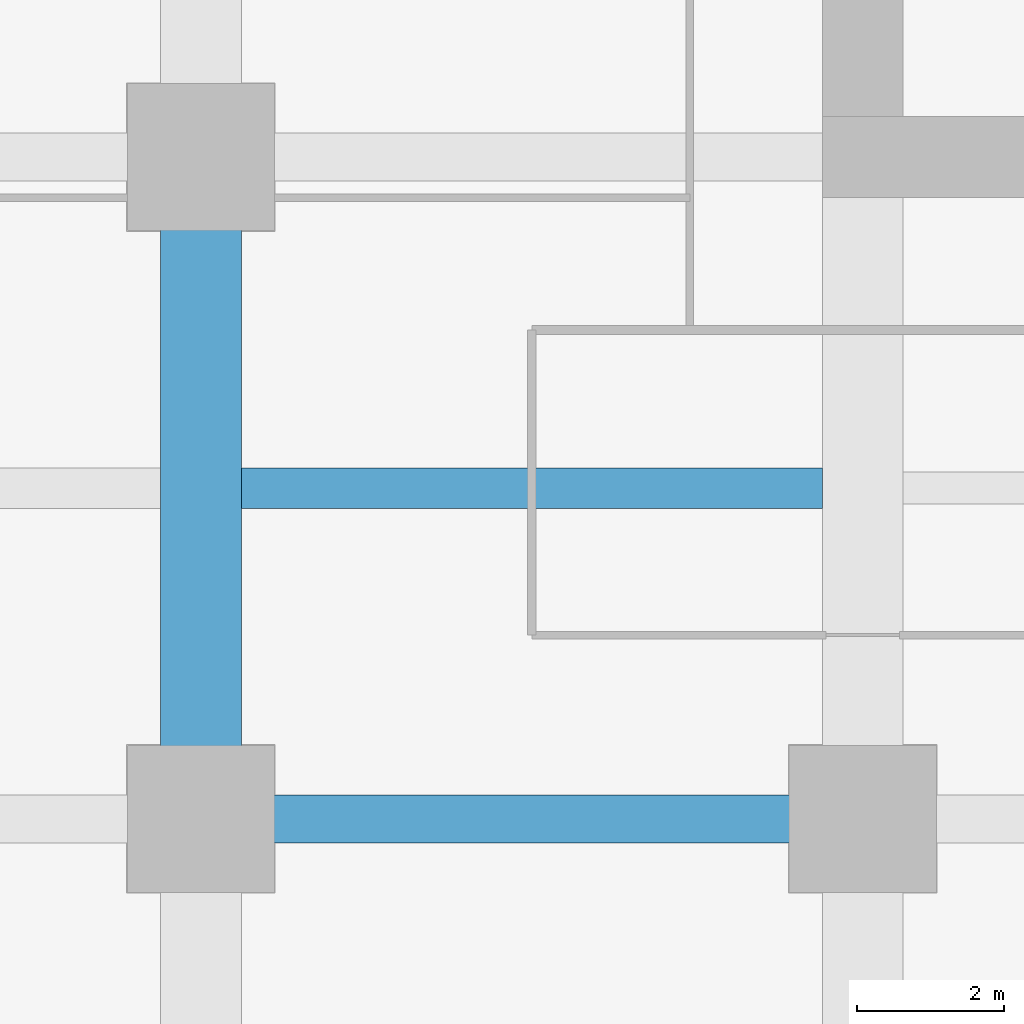
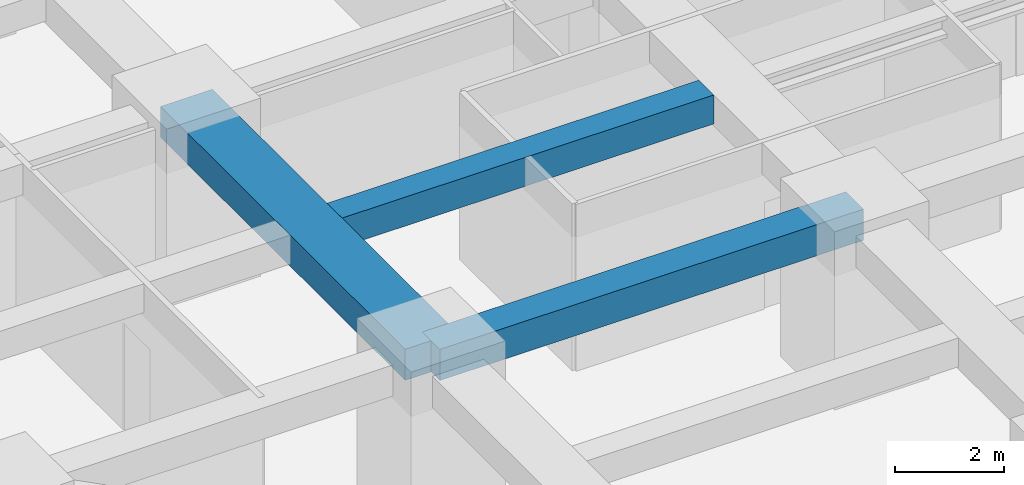
# One storey, part 5 of 41: 3 beams.
"""IFC4 building model written with IfcOpenShell, lengths in metres."""

import ifcopenshell
import ifcopenshell.guid

model = None  # the IFC model being written
_history = None  # IfcOwnerHistory: only IFC2X3 demands one
_inside = {}  # id of a spatial element -> (the spatial element, [elements in it])
_under = {}  # id of a project, library or spatial element -> (it, [spatial elements below it])
_declared = {}  # id of a project -> (the project, [libraries it declares])
_typed = {}  # id of a type object -> (the type object, [elements of that type])
_made_of = {}  # id of a material, layer set ... -> (it, [elements and type objects made of it])


def new_model(schema):
    """Start an empty IFC model of exactly this schema.

    Asked for "IFC4X3", IfcOpenShell would pick the latest addendum, in which some entities
    have other attributes; the version numbers below select the first issue.
    IFC2X3 requires an IfcOwnerHistory on every rooted entity: one is made here for all.
    """
    global model, _history
    if schema == "IFC4X3":
        model = ifcopenshell.file(schema_version=(4, 3, 0, 0))
    else:
        model = ifcopenshell.file(schema=schema)
    _inside.clear()
    _under.clear()
    _declared.clear()
    _typed.clear()
    _made_of.clear()
    _history = None
    if model.schema == "IFC2X3":
        org = make("IfcOrganization", Name="unknown")
        user = make(
            "IfcPersonAndOrganization",
            ThePerson=make("IfcPerson", FamilyName="unknown"),
            TheOrganization=org,
        )
        app = make(
            "IfcApplication",
            ApplicationDeveloper=org,
            Version="unknown",
            ApplicationFullName="unknown",
            ApplicationIdentifier="unknown",
        )
        _history = make(
            "IfcOwnerHistory",
            OwningUser=user,
            OwningApplication=app,
            ChangeAction="ADDED",
            CreationDate=0,
        )
    return model


def make(cls, **values):
    """One entity of the class cls with the attributes given. An attribute that is None is left unset."""
    return model.create_entity(
        cls, **{name: value for name, value in values.items() if value is not None}
    )


def rooted(cls, **values):
    """An entity with a GlobalId (a new one), such as an element, a storey or a relation."""
    return make(cls, GlobalId=ifcopenshell.guid.new(), OwnerHistory=_history, **values)


def si_unit(unit_type, name, prefix=None):
    """IfcSIUnit, for example si_unit("LENGTHUNIT", "METRE", prefix="MILLI")."""
    return make("IfcSIUnit", UnitType=unit_type, Prefix=prefix, Name=name)


def assignment(units):
    """IfcUnitAssignment: the units of a project."""
    return None if units is None else make("IfcUnitAssignment", Units=units)


def point(xyz):
    """IfcCartesianPoint."""
    return None if xyz is None else make("IfcCartesianPoint", Coordinates=xyz)


def direction(xyz):
    """IfcDirection."""
    return None if xyz is None else make("IfcDirection", DirectionRatios=xyz)


def frame(location, z_axis=None, x_axis=None):
    """IfcAxis2Placement3D, a coordinate frame: its origin and axes. An axis left out is left unset."""
    return make(
        "IfcAxis2Placement3D",
        Location=point(location),
        Axis=direction(z_axis),
        RefDirection=direction(x_axis),
    )


def frame_2d(location, x_axis=None):
    """IfcAxis2Placement2D, a coordinate frame in the plane: its origin and x axis."""
    return make(
        "IfcAxis2Placement2D", Location=point(location), RefDirection=direction(x_axis)
    )


def origin():
    """The frame at (0, 0, 0) with its axes left unset."""
    return frame((0.0, 0.0, 0.0))


def origin_2d():
    """The frame at (0, 0) in the plane with its x axis left unset."""
    return frame_2d((0.0, 0.0))


def place(relative_to, where):
    """IfcLocalPlacement: puts the frame where relative to a parent placement (None: the world)."""
    return make(
        "IfcLocalPlacement", PlacementRelTo=relative_to, RelativePlacement=where
    )


def context(
    kind, dimensions, precision=None, world=None, true_north=None, identifier=None
):
    """IfcGeometricRepresentationContext, for example the 3D "Model" context."""
    return make(
        "IfcGeometricRepresentationContext",
        ContextIdentifier=identifier,
        ContextType=kind,
        CoordinateSpaceDimension=dimensions,
        Precision=precision,
        WorldCoordinateSystem=world,
        TrueNorth=true_north,
    )


def subcontext(parent, identifier, kind, view, scale=None):
    """IfcGeometricRepresentationSubContext, for example "Body" below "Model"."""
    return make(
        "IfcGeometricRepresentationSubContext",
        ContextIdentifier=identifier,
        ContextType=kind,
        ParentContext=parent,
        TargetScale=scale,
        TargetView=view,
    )


def project(units=None, contexts=None):
    """IfcProject with its units and contexts."""
    return rooted(
        "IfcProject",
        Name="project",
        RepresentationContexts=contexts,
        UnitsInContext=assignment(units),
    )


def spatial(cls, under=None, at=None, **own):
    """A site, building, storey or space (cls), placed at a placement, below another one or the project."""
    s = rooted(cls, ObjectPlacement=at, **own)
    if under is not None:
        _under.setdefault(under.id(), (under, []))[1].append(s)
    return s


def profile(cls, at=None, kind="AREA", **sizes):
    """A parametric profile (cls). Its sizes go by their IFC names, for example OverallWidth=200.0."""
    return make(cls, ProfileType=kind, Position=at, **sizes)


def rectangle(**sizes):
    """IfcRectangleProfileDef."""
    return profile("IfcRectangleProfileDef", **sizes)


def extrude(swept, where, along, depth):
    """IfcExtrudedAreaSolid: the profile swept, set in the frame where, extruded along a direction by depth."""
    return make(
        "IfcExtrudedAreaSolid",
        SweptArea=swept,
        Position=where,
        ExtrudedDirection=direction(along),
        Depth=depth,
    )


def shape(context_of_items, identifier, shape_type, items):
    """IfcShapeRepresentation: the items that make up one representation, for example the "Body"."""
    return make(
        "IfcShapeRepresentation",
        ContextOfItems=context_of_items,
        RepresentationIdentifier=identifier,
        RepresentationType=shape_type,
        Items=items,
    )


def material(Name=None, Category=None):
    """IfcMaterial."""
    return make("IfcMaterial", Name=Name, Category=Category)


def material_profile(
    of_material, cross_section, Name=None, Category=None, Priority=None
):
    """IfcMaterialProfile: a cross section and its material."""
    return make(
        "IfcMaterialProfile",
        Name=Name,
        Material=of_material,
        Profile=cross_section,
        Priority=Priority,
        Category=Category,
    )


def profile_set(profiles, Name=None, composite=None):
    """IfcMaterialProfileSet."""
    return make(
        "IfcMaterialProfileSet",
        Name=Name,
        MaterialProfiles=profiles,
        CompositeProfile=composite,
    )


def made_of(thing, what):
    """Note that an element or type object is made of a material, layer set ...; save() writes the relation."""
    if what is not None:
        _made_of.setdefault(what.id(), (what, []))[1].append(thing)
    return thing


def type_object(cls, material=None, **own):
    """A type object (cls), such as IfcWallType, which elements share."""
    return made_of(rooted(cls, **own), material)


def element(
    cls,
    number,
    at=None,
    inside=None,
    cuts=None,
    type_object=None,
    material=None,
    context=None,
    identifier="Body",
    shape_type=None,
    held_by="IfcProductDefinitionShape",
    body=None,
    shapes=None,
    **own,
):
    """One element of the class cls, such as IfcWall. Its Tag is "e" and its number.

    at: its placement. inside: the storey or other place that contains it. cuts: it is an
    opening in that element (IfcRelVoidsElement). A single representation is given by context,
    identifier, shape_type and body (its items); several are given by shapes. held_by: the class
    of the entity that holds the representations. save() writes the other relations.
    """
    e = rooted(cls, Tag="e%d" % number, ObjectPlacement=at, **own)
    if body is not None:
        shapes = [shape(context, identifier, shape_type, body)]
    if shapes is not None:
        e.Representation = make(held_by, Representations=shapes)
    if inside is not None:
        _inside.setdefault(inside.id(), (inside, []))[1].append(e)
    if cuts is not None:
        rooted(
            "IfcRelVoidsElement", RelatingBuildingElement=cuts, RelatedOpeningElement=e
        )
    if type_object is not None:
        _typed.setdefault(type_object.id(), (type_object, []))[1].append(e)
    return made_of(e, material)


def aggregate(whole, parts):
    """IfcRelAggregates: a whole, such as a stair, and the parts it consists of."""
    return rooted("IfcRelAggregates", RelatingObject=whole, RelatedObjects=parts)


def save(model, path):
    """Write the relations noted so far, then the file.

    IfcRelAggregates (storeys below a building ...), IfcRelContainedInSpatialStructure (elements
    in a storey), IfcRelDefinesByType, IfcRelAssociatesMaterial and IfcRelDeclares: one each for
    every whole, place, type object, material and project.
    """
    for whole, parts in _under.values():
        aggregate(whole, parts)
    for where, things in _inside.values():
        rooted(
            "IfcRelContainedInSpatialStructure",
            RelatedElements=things,
            RelatingStructure=where,
        )
    for kind, things in _typed.values():
        rooted("IfcRelDefinesByType", RelatedObjects=things, RelatingType=kind)
    for what, things in _made_of.values():
        rooted("IfcRelAssociatesMaterial", RelatedObjects=things, RelatingMaterial=what)
    for by, libraries in _declared.values():
        rooted("IfcRelDeclares", RelatingContext=by, RelatedDefinitions=libraries)
    model.write(path)


model = new_model("IFC4")

# Units and contexts
model_context = context("Model", 3, precision=1e-05, world=origin(), true_north=direction((0.0, 1.0)))
body_context = subcontext(model_context, "Body", "Model", "MODEL_VIEW")
ifc_project = project(units=[si_unit("LENGTHUNIT", "METRE"), si_unit("AREAUNIT", "SQUARE_METRE"), si_unit("VOLUMEUNIT", "CUBIC_METRE"), si_unit("PLANEANGLEUNIT", "RADIAN"), si_unit("MASSUNIT", "GRAM", prefix="KILO")], contexts=[model_context])

# Site, building, storey
site_placement = place(None, origin())
site = spatial("IfcSite", under=ifc_project, at=site_placement, CompositionType="ELEMENT")
building_placement = place(site_placement, origin())
building = spatial("IfcBuilding", under=site, at=building_placement, Name="Zorevar Civic Tower", CompositionType="ELEMENT")
storey_placement = place(building_placement, frame((0.0, 0.0, 113.0)))
storey = spatial("IfcBuildingStorey", under=building, at=storey_placement, Name="L27", CompositionType="ELEMENT", Elevation=113.0)

# Beams
ifc_material_1 = material(Name="Concrete C50/60", Category="concrete")
ifc_material_profile_1 = material_profile(ifc_material_1, rectangle(XDim=1.10009765625, YDim=0.699951171875, at=origin_2d()), Name="RC 1100x700")
ifc_profile_set_1 = profile_set([ifc_material_profile_1], Name="Concrete C50/60")
beam_type_1 = type_object("IfcBeamType", Name="Beam RC 1100x700", PredefinedType="BEAM", material=ifc_profile_set_1)
beam_1_placement = place(storey_placement, frame((9.0, 9.0, 3.39990234375), z_axis=(0.0, 1.0, 0.0), x_axis=(-1.0, 0.0, 0.0)))
element("IfcBeam", 1, at=beam_1_placement, inside=storey, type_object=beam_type_1, Name="Girder L28", PredefinedType="BEAM", context=body_context, shape_type="SweptSolid", body=[
    extrude(rectangle(XDim=1.10009765625, YDim=0.699951171875, at=origin_2d()), origin(), (0.0, 0.0, 1.0), 9.0),
])
ifc_material_2 = material(Name="Concrete C50/60", Category="concrete")
ifc_material_profile_2 = material_profile(ifc_material_2, rectangle(XDim=0.550048828125, YDim=0.64990234375, at=origin_2d()), Name="RC 550x650")
ifc_profile_set_2 = profile_set([ifc_material_profile_2], Name="Concrete C50/60")
beam_type_2 = type_object("IfcBeamType", Name="Beam RC 550x650", PredefinedType="BEAM", material=ifc_profile_set_2)
beam_2_placement = place(storey_placement, frame((9.550048828125, 13.5, 3.425048828125), z_axis=(1.0, 0.0, 0.0), x_axis=(0.0, 1.0, 0.0)))
element("IfcBeam", 2, at=beam_2_placement, inside=storey, type_object=beam_type_2, Name="Secondary beam L28", PredefinedType="BEAM", context=body_context, shape_type="SweptSolid", body=[
    extrude(rectangle(XDim=0.550048828125, YDim=0.64990234375, at=origin_2d()), origin(), (0.0, 0.0, 1.0), 7.89990234375),
])
ifc_material_3 = material(Name="Concrete C50/60", Category="concrete")
ifc_material_profile_3 = material_profile(ifc_material_3, rectangle(XDim=0.64990234375, YDim=0.699951171875, at=origin_2d()), Name="RC 650x700")
ifc_profile_set_3 = profile_set([ifc_material_profile_3], Name="Concrete C50/60")
beam_type_3 = type_object("IfcBeamType", Name="Beam RC 650x700", PredefinedType="BEAM", material=ifc_profile_set_3)
beam_3_placement = place(storey_placement, frame((9.0, 9.0, 3.39990234375), z_axis=(1.0, 0.0, 0.0), x_axis=(0.0, 1.0, 0.0)))
element("IfcBeam", 3, at=beam_3_placement, inside=storey, type_object=beam_type_3, Name="Girder L28", PredefinedType="BEAM", context=body_context, shape_type="SweptSolid", body=[
    extrude(rectangle(XDim=0.64990234375, YDim=0.699951171875, at=origin_2d()), origin(), (0.0, 0.0, 1.0), 9.0),
])

save(model, "model.ifc")
